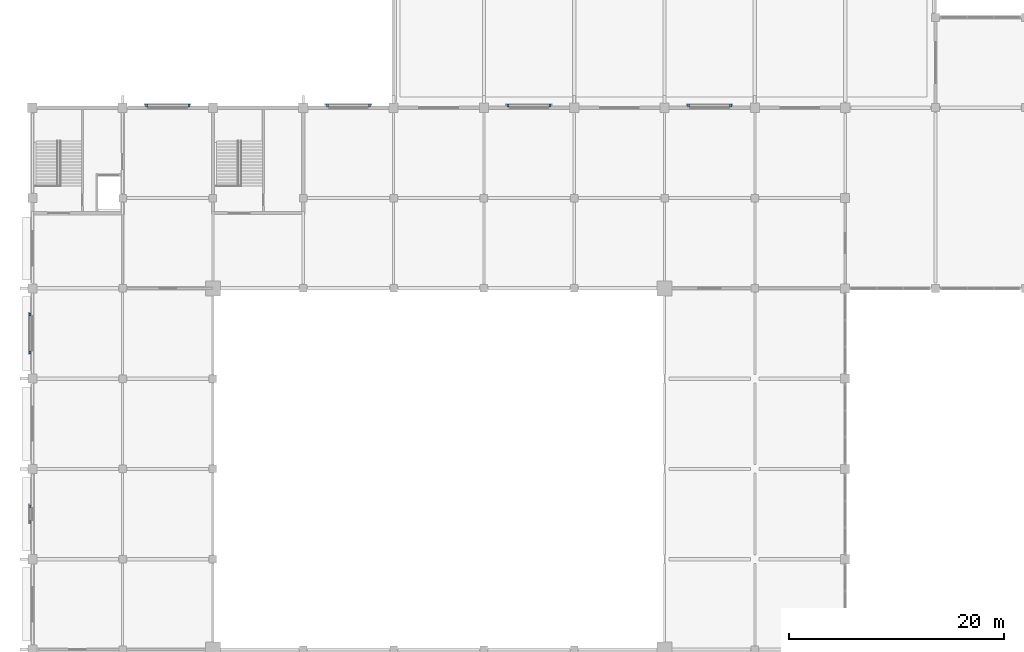
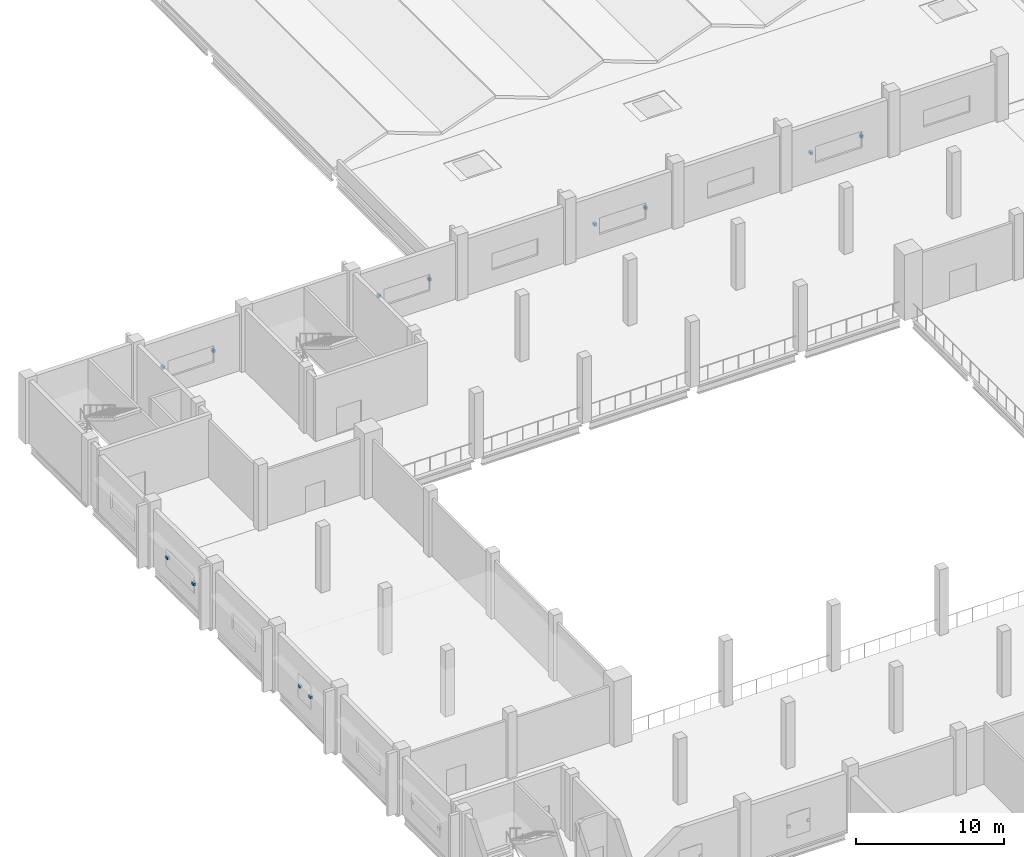
# One storey, part 65 of 72: 12 discrete accessories.
"""IFC4 building model written with IfcOpenShell, lengths in metres."""

from ifc_helpers import new_model, si_unit, direction, frame, origin, origin_2d, place, context, subcontext, project, spatial, rectangle, extrude, material, type_object, element, save


model = new_model("IFC4")

# Units and contexts
model_context = context("Model", 3, precision=1e-05, world=origin(), true_north=direction((0.0, 1.0)))
body_context = subcontext(model_context, "Body", "Model", "MODEL_VIEW")
ifc_project = project(units=[si_unit("LENGTHUNIT", "METRE"), si_unit("AREAUNIT", "SQUARE_METRE"), si_unit("VOLUMEUNIT", "CUBIC_METRE"), si_unit("PLANEANGLEUNIT", "RADIAN"), si_unit("MASSUNIT", "GRAM", prefix="KILO")], contexts=[model_context])

# Site, building, storey
site_placement = place(None, origin())
site = spatial("IfcSite", under=ifc_project, at=site_placement, CompositionType="ELEMENT")
building_placement = place(site_placement, origin())
building = spatial("IfcBuilding", under=site, at=building_placement, Name="Qawsi Khor Wholesale Market", CompositionType="ELEMENT")
storey_placement = place(building_placement, frame((0.0, 0.0, 6.0)))
storey = spatial("IfcBuildingStorey", under=building, at=storey_placement, Name="L01", CompositionType="ELEMENT", Elevation=6.0)

# Discrete accessories
ifc_material = material(Name="Steel S355", Category="steel")
discrete_accessory_type = type_object("IfcDiscreteAccessoryType", Name="Screen Fixing Bracket Steel S355", PredefinedType="BRACKET", material=ifc_material)
for number, where, z_axis, x_axis, name in (
    (1, (-0.215087890625, 70.679931640625, 2.1748046875), (0.0, 0.0, 1.0), (1.0, 0.0, 0.0), "Screen bracket 072-1"),
    (2, (-0.215087890625, 72.1201171875, 2.1748046875), (0.0, 0.0, 1.0), (1.0, 0.0, 0.0), "Screen bracket 072-2"),
    (3, (-0.215087890625, 86.43994140625, 1.89990234375), (0.0, 0.0, 1.0), (1.0, 0.0, 0.0), "Screen bracket 073-1"),
    (4, (-0.215087890625, 89.9599609375, 1.89990234375), (0.0, 0.0, 1.0), (1.0, 0.0, 0.0), "Screen bracket 073-2"),
    (5, (10.639892578125, 109.4150390625, 1.97509765625), (0.0, 0.0, 1.0), (1.0, 0.0, 0.0), "Screen bracket 076-1"),
    (6, (14.56005859375, 109.4150390625, 1.97509765625), (0.0, 0.0, 1.0), (1.0, 0.0, 0.0), "Screen bracket 076-2"),
    (7, (27.43994140625, 109.4150390625, 1.97509765625), (0.0, 0.0, 1.0), (1.0, 0.0, 0.0), "Screen bracket 077-1"),
    (8, (31.360107421875, 109.4150390625, 1.97509765625), (0.0, 0.0, 1.0), (1.0, 0.0, 0.0), "Screen bracket 077-2"),
    (9, (44.239990234375, 109.4150390625, 1.97509765625), (0.0, 0.0, 1.0), (1.0, 0.0, 0.0), "Screen bracket 078-1"),
    (10, (48.159912109375, 109.4150390625, 1.97509765625), (0.0, 0.0, 1.0), (1.0, 0.0, 0.0), "Screen bracket 078-2"),
    (11, (61.0400390625, 109.4150390625, 1.97509765625), (0.0, 0.0, 1.0), (1.0, 0.0, 0.0), "Screen bracket 079-1"),
    (12, (64.9599609375, 109.4150390625, 1.97509765625), (0.0, 0.0, 1.0), (1.0, 0.0, 0.0), "Screen bracket 079-2"),
):
    element("IfcDiscreteAccessory", number, at=place(storey_placement, frame(where, z_axis=z_axis, x_axis=x_axis)), inside=storey, type_object=discrete_accessory_type, Name=name, PredefinedType="BRACKET", context=body_context, shape_type="SweptSolid", body=[
        extrude(rectangle(XDim=0.199951171875, YDim=0.280029296875, at=origin_2d()), origin(), (0.0, 0.0, 1.0), 0.199951171875),
    ])

save(model, "model.ifc")
